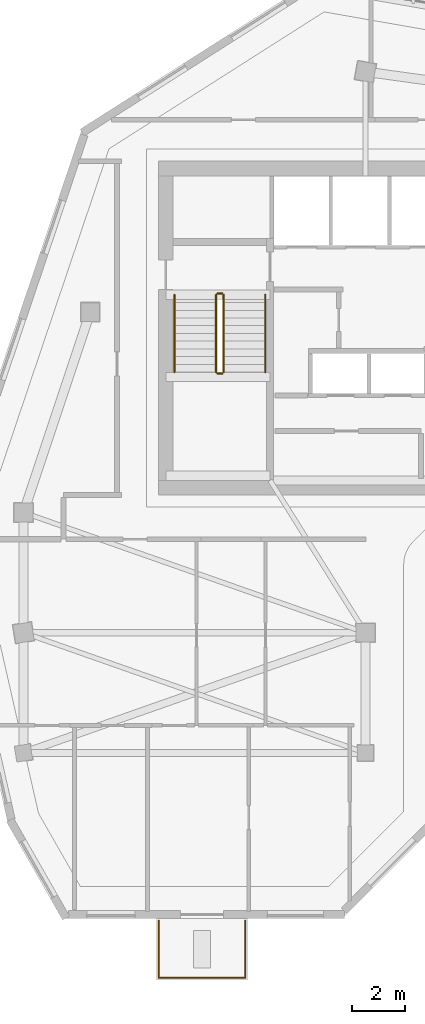
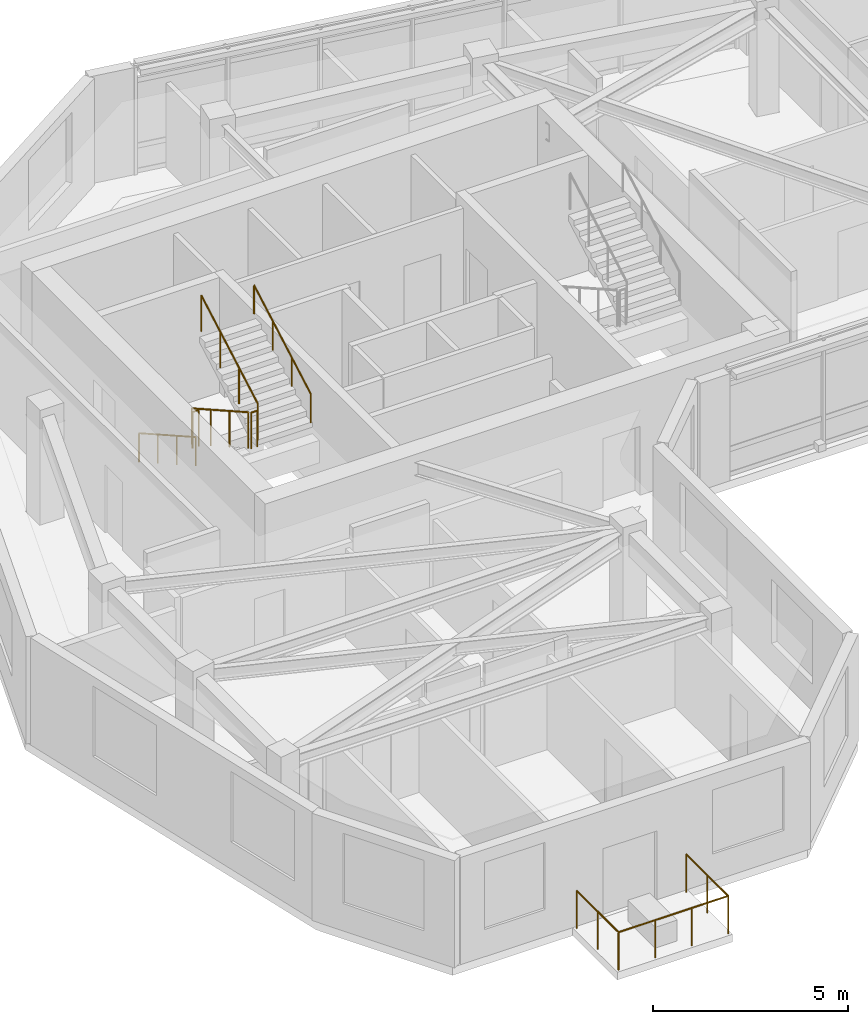
# One storey, part 6 of 8: 9 railings.
"""IFC4 building model written with IfcOpenShell, lengths in metres."""

from ifc_helpers import new_model, si_unit, direction, frame, origin, origin_2d, place, context, subcontext, project, spatial, circle, extrude, material, type_object, element, save


model = new_model("IFC4")

# Units and contexts
model_context = context("Model", 3, precision=1e-05, world=origin(), true_north=direction((0.0, 1.0)))
body_context = subcontext(model_context, "Body", "Model", "MODEL_VIEW")
ifc_project = project(units=[si_unit("LENGTHUNIT", "METRE"), si_unit("AREAUNIT", "SQUARE_METRE"), si_unit("VOLUMEUNIT", "CUBIC_METRE"), si_unit("PLANEANGLEUNIT", "RADIAN"), si_unit("MASSUNIT", "GRAM", prefix="KILO")], contexts=[model_context])

# Site, building, storey
site_placement = place(None, origin())
site = spatial("IfcSite", under=ifc_project, at=site_placement, CompositionType="ELEMENT")
building_placement = place(site_placement, origin())
building = spatial("IfcBuilding", under=site, at=building_placement, Name="Calvemar Wedge Station Tower", CompositionType="ELEMENT")
storey_placement = place(building_placement, frame((0.0, 0.0, 249.300048828125)))
storey = spatial("IfcBuildingStorey", under=building, at=storey_placement, Name="L63", CompositionType="ELEMENT", Elevation=249.300048828125)

# Railings
ifc_material_1 = material(Name="Stainless steel AISI 316L", Category="steel")
railing_type_1 = type_object("IfcRailingType", Name="GRD-TERR-1200", PredefinedType="GUARDRAIL", material=ifc_material_1)
railing_1_placement = place(storey_placement, frame((19.302001953125, 17.719970703125, 0.0)))
element("IfcRailing", 1, at=railing_1_placement, inside=storey, type_object=railing_type_1, Name="Storey L63 Spiral Terrace Guard 2", PredefinedType="GUARDRAIL", context=body_context, shape_type="SweptSolid", body=[
    extrude(circle(Radius=0.02392578125, at=origin_2d()), frame((0.0, 0.0, 1.17578125), z_axis=(0.0, -1.0, 0.0), x_axis=(1.0, 0.0, 0.0)), (0.0, 0.0, 1.0), 2.139892578125),
    extrude(circle(Radius=0.02099609375, at=origin_2d()), origin(), (0.0, 0.0, 1.0), 1.15185546875),
    extrude(circle(Radius=0.02099609375, at=origin_2d()), frame((0.0, -1.06982421875, 0.0)), (0.0, 0.0, 1.0), 1.15185546875),
    extrude(circle(Radius=0.02099609375, at=origin_2d()), frame((0.0, -2.139892578125, 0.0)), (0.0, 0.0, 1.0), 1.15185546875),
])
railing_2_placement = place(storey_placement, frame((19.302001953125, 15.580078125, 0.0)))
element("IfcRailing", 2, at=railing_2_placement, inside=storey, type_object=railing_type_1, Name="Storey L63 Spiral Terrace Guard 3", PredefinedType="GUARDRAIL", context=body_context, shape_type="SweptSolid", body=[
    extrude(circle(Radius=0.02392578125, at=origin_2d()), frame((0.0, 0.0, 1.17578125), z_axis=(-1.0, 0.0, 0.0), x_axis=(0.0, -1.0, 0.0)), (0.0, 0.0, 1.0), 3.239990234375),
    extrude(circle(Radius=0.02099609375, at=origin_2d()), origin(), (0.0, 0.0, 1.0), 1.15185546875),
    extrude(circle(Radius=0.02099609375, at=origin_2d()), frame((-1.080078125, 0.0, 0.0)), (0.0, 0.0, 1.0), 1.15185546875),
    extrude(circle(Radius=0.02099609375, at=origin_2d()), frame((-2.159912109375, 0.0, 0.0)), (0.0, 0.0, 1.0), 1.15185546875),
    extrude(circle(Radius=0.02099609375, at=origin_2d()), frame((-3.239990234375, 0.0, 0.0)), (0.0, 0.0, 1.0), 1.15185546875),
])
railing_3_placement = place(storey_placement, frame((16.06201171875, 15.580078125, 0.0)))
element("IfcRailing", 3, at=railing_3_placement, inside=storey, type_object=railing_type_1, Name="Storey L63 Spiral Terrace Guard 4", PredefinedType="GUARDRAIL", context=body_context, shape_type="SweptSolid", body=[
    extrude(circle(Radius=0.02392578125, at=origin_2d()), frame((0.0, 0.0, 1.17578125), z_axis=(0.0, 1.0, 0.0), x_axis=(-1.0, 0.0, 0.0)), (0.0, 0.0, 1.0), 2.139892578125),
    extrude(circle(Radius=0.02099609375, at=origin_2d()), origin(), (0.0, 0.0, 1.0), 1.15185546875),
    extrude(circle(Radius=0.02099609375, at=origin_2d()), frame((0.0, 1.06982421875, 0.0)), (0.0, 0.0, 1.0), 1.15185546875),
    extrude(circle(Radius=0.02099609375, at=origin_2d()), frame((0.0, 2.139892578125, 0.0)), (0.0, 0.0, 1.0), 1.15185546875),
])
railing_type_2 = type_object("IfcRailingType", Name="RL-HANDRAIL-920", PredefinedType="HANDRAIL", material=ifc_material_1)
railing_4_placement = place(storey_placement, frame((16.64990234375, 41.14990234375, 0.16357421875)))
element("IfcRailing", 4, at=railing_4_placement, inside=storey, type_object=railing_type_2, Name="L63 ST-C1 stair handrail 1", PredefinedType="HANDRAIL", context=body_context, shape_type="SweptSolid", body=[
    extrude(circle(Radius=0.02392578125, at=origin_2d()), frame((0.0, 0.0, 0.89599609375), z_axis=(0.0, -0.870897200241, 0.491465224214), x_axis=(1.0, 0.0, 0.0)), (0.0, 0.0, 1.0), 3.329833984375),
    extrude(circle(Radius=0.02099609375, at=origin_2d()), origin(), (0.0, 0.0, 1.0), 0.871826171875),
    extrude(circle(Radius=0.02099609375, at=origin_2d()), frame((0.0, -0.966552734375, 0.54541015625)), (0.0, 0.0, 1.0), 0.871826171875),
    extrude(circle(Radius=0.02099609375, at=origin_2d()), frame((0.0, -1.933349609375, 1.091064453125)), (0.0, 0.0, 1.0), 0.871826171875),
    extrude(circle(Radius=0.02099609375, at=origin_2d()), frame((0.0, -2.89990234375, 1.636474609375)), (0.0, 0.0, 1.0), 0.871826171875),
])
railing_5_placement = place(storey_placement, frame((20.050048828125, 38.25, 1.963623046875)))
element("IfcRailing", 5, at=railing_5_placement, inside=storey, type_object=railing_type_2, Name="L63 ST-C1 stair handrail 2", PredefinedType="HANDRAIL", context=body_context, shape_type="SweptSolid", body=[
    extrude(circle(Radius=0.02392578125, at=origin_2d()), frame((0.0, 0.0, 0.89599609375), z_axis=(0.0, 0.870928581787, 0.491409610636), x_axis=(-1.0, 0.0, 0.0)), (0.0, 0.0, 1.0), 3.32958984375),
    extrude(circle(Radius=0.02099609375, at=origin_2d()), origin(), (0.0, 0.0, 1.0), 0.871826171875),
    extrude(circle(Radius=0.02099609375, at=origin_2d()), frame((0.0, 0.966552734375, 0.54541015625)), (0.0, 0.0, 1.0), 0.871826171875),
    extrude(circle(Radius=0.02099609375, at=origin_2d()), frame((0.0, 1.933349609375, 1.0908203125)), (0.0, 0.0, 1.0), 0.871826171875),
    extrude(circle(Radius=0.02099609375, at=origin_2d()), frame((0.0, 2.89990234375, 1.63623046875)), (0.0, 0.0, 1.0), 0.871826171875),
])
ifc_material_2 = material(Name="Painted steel guardrail ASTM A500 Grade C", Category="steel")
railing_type_3 = type_object("IfcRailingType", Name="RL-STAIR-GUARD-1150", PredefinedType="GUARDRAIL", material=ifc_material_2)
railing_6_placement = place(storey_placement, frame((18.2099609375, 41.14990234375, 0.16357421875)))
element("IfcRailing", 6, at=railing_6_placement, inside=storey, type_object=railing_type_3, Name="L63 ST-C1 stair guard 1", PredefinedType="GUARDRAIL", context=body_context, shape_type="SweptSolid", body=[
    extrude(circle(Radius=0.02392578125, at=origin_2d()), frame((0.0, 0.0, 1.1259765625), z_axis=(0.0, -0.870897200241, 0.491465224214), x_axis=(1.0, 0.0, 0.0)), (0.0, 0.0, 1.0), 3.329833984375),
    extrude(circle(Radius=0.02099609375, at=origin_2d()), origin(), (0.0, 0.0, 1.0), 1.101806640625),
    extrude(circle(Radius=0.02099609375, at=origin_2d()), frame((0.0, -0.966552734375, 0.54541015625)), (0.0, 0.0, 1.0), 1.101806640625),
    extrude(circle(Radius=0.02099609375, at=origin_2d()), frame((0.0, -1.933349609375, 1.091064453125)), (0.0, 0.0, 1.0), 1.101806640625),
    extrude(circle(Radius=0.02099609375, at=origin_2d()), frame((0.0, -2.89990234375, 1.636474609375)), (0.0, 0.0, 1.0), 1.101806640625),
])
railing_7_placement = place(storey_placement, frame((18.260009765625, 38.199951171875, 1.800048828125)))
element("IfcRailing", 7, at=railing_7_placement, inside=storey, type_object=railing_type_3, Name="L63 ST-C1 stair guard 2", PredefinedType="GUARDRAIL", context=body_context, shape_type="SweptSolid", body=[
    extrude(circle(Radius=0.02392578125, at=origin_2d()), frame((0.0, 0.0, 1.1259765625), z_axis=(1.0, 0.0, 0.0), x_axis=(0.0, 1.0, 0.0)), (0.0, 0.0, 1.0), 0.179931640625),
    extrude(circle(Radius=0.02099609375, at=origin_2d()), origin(), (0.0, 0.0, 1.0), 1.101806640625),
    extrude(circle(Radius=0.02099609375, at=origin_2d()), frame((0.179931640625, 0.0, 0.0)), (0.0, 0.0, 1.0), 1.101806640625),
])
railing_8_placement = place(storey_placement, frame((18.489990234375, 38.25, 1.963623046875)))
element("IfcRailing", 8, at=railing_8_placement, inside=storey, type_object=railing_type_3, Name="L63 ST-C1 stair guard 3", PredefinedType="GUARDRAIL", context=body_context, shape_type="SweptSolid", body=[
    extrude(circle(Radius=0.02392578125, at=origin_2d()), frame((0.0, 0.0, 1.1259765625), z_axis=(0.0, 0.870928581787, 0.491409610636), x_axis=(-1.0, 0.0, 0.0)), (0.0, 0.0, 1.0), 3.32958984375),
    extrude(circle(Radius=0.02099609375, at=origin_2d()), origin(), (0.0, 0.0, 1.0), 1.101806640625),
    extrude(circle(Radius=0.02099609375, at=origin_2d()), frame((0.0, 0.966552734375, 0.54541015625)), (0.0, 0.0, 1.0), 1.101806640625),
    extrude(circle(Radius=0.02099609375, at=origin_2d()), frame((0.0, 1.933349609375, 1.0908203125)), (0.0, 0.0, 1.0), 1.101806640625),
    extrude(circle(Radius=0.02099609375, at=origin_2d()), frame((0.0, 2.89990234375, 1.63623046875)), (0.0, 0.0, 1.0), 1.101806640625),
])
railing_9_placement = place(storey_placement, frame((18.260009765625, 41.199951171875, 0.0)))
element("IfcRailing", 9, at=railing_9_placement, inside=storey, type_object=railing_type_3, Name="L63 ST-C1 stair guard 4", PredefinedType="GUARDRAIL", context=body_context, shape_type="SweptSolid", body=[
    extrude(circle(Radius=0.02392578125, at=origin_2d()), frame((0.0, 0.0, 1.1259765625), z_axis=(1.0, 0.0, 0.0), x_axis=(0.0, 1.0, 0.0)), (0.0, 0.0, 1.0), 0.179931640625),
    extrude(circle(Radius=0.02099609375, at=origin_2d()), origin(), (0.0, 0.0, 1.0), 1.101806640625),
    extrude(circle(Radius=0.02099609375, at=origin_2d()), frame((0.179931640625, 0.0, 0.0)), (0.0, 0.0, 1.0), 1.101806640625),
])

save(model, "model.ifc")
